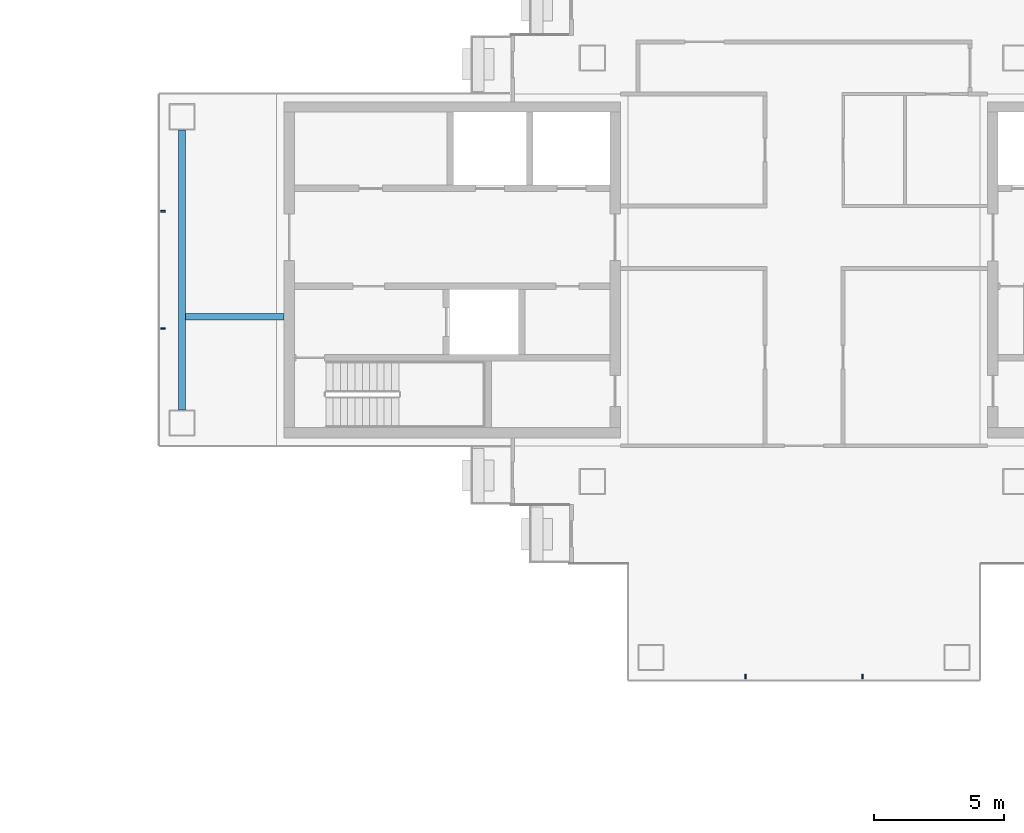
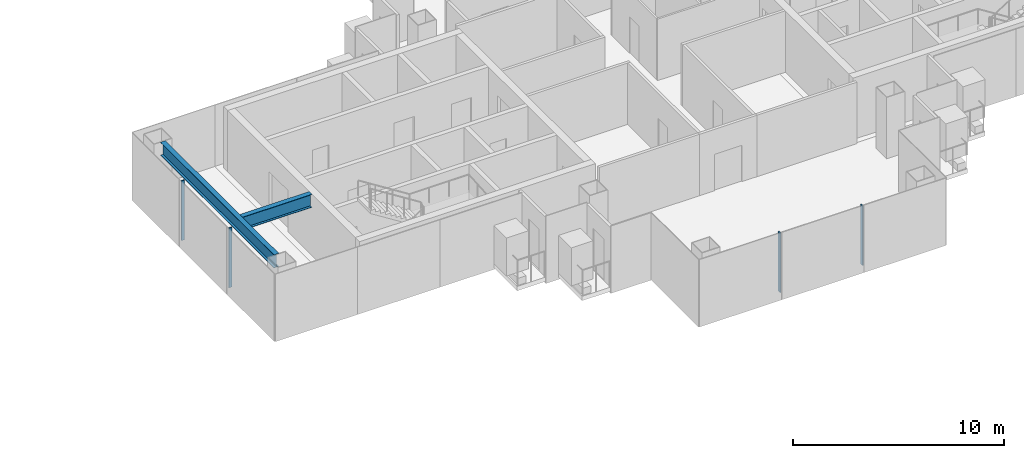
# One storey, part 5 of 16: 4 members, 2 beams, 2 elements without a shape of their own.
"""IFC4 building model written with IfcOpenShell, lengths in metres."""

from ifc_helpers import new_model, si_unit, direction, frame, origin, origin_2d, place, context, subcontext, project, spatial, rectangle, i_section, extrude, material, layer, layer_set, material_profile, profile_set, type_object, element, aggregate, save


model = new_model("IFC4")

# Units and contexts
model_context = context("Model", 3, precision=1e-05, world=origin(), true_north=direction((0.0, 1.0)))
body_context = subcontext(model_context, "Body", "Model", "MODEL_VIEW")
ifc_project = project(units=[si_unit("LENGTHUNIT", "METRE"), si_unit("AREAUNIT", "SQUARE_METRE"), si_unit("VOLUMEUNIT", "CUBIC_METRE"), si_unit("PLANEANGLEUNIT", "RADIAN"), si_unit("MASSUNIT", "GRAM", prefix="KILO")], contexts=[model_context])

# Site, building, storey
site_placement = place(None, origin())
site = spatial("IfcSite", under=ifc_project, at=site_placement, CompositionType="ELEMENT")
building_placement = place(site_placement, origin())
building = spatial("IfcBuilding", under=site, at=building_placement, Name="Shamsa Quay Exchange Towers", CompositionType="ELEMENT")
storey_placement = place(building_placement, frame((0.0, 0.0, 213.89990234375)))
storey = spatial("IfcBuildingStorey", under=building, at=storey_placement, Name="L51", CompositionType="ELEMENT", Elevation=213.89990234375)

# Curtain wall, members
ifc_material_1 = material(Name="Aluminium EN AW-6063 T6, black anodised", Category="aluminium")
ifc_layer = layer(ifc_material_1, 0.280029296875)
ifc_layer_set = layer_set([ifc_layer], Name="CW-1 UNITISED VISION GLASS")
curtain_wall_type = type_object("IfcCurtainWallType", Name="CW-1 UNITISED VISION GLASS", PredefinedType="NOTDEFINED", material=ifc_layer_set)
curtain_wall_1_placement = place(storey_placement, origin())
curtain_wall_1 = element("IfcCurtainWall", 1, at=curtain_wall_1_placement, inside=storey, type_object=curtain_wall_type, Name="CW1 T2-END-V+ L51", PredefinedType="NOTDEFINED")
ifc_material_profile_1 = material_profile(ifc_material_1, rectangle(XDim=0.179931640625, YDim=0.06005859375, at=origin_2d()), Name="MU60x180")
ifc_profile_set_1 = profile_set([ifc_material_profile_1], Name="Aluminium EN AW-6063 T6, black anodised")
member_type = type_object("IfcMemberType", Name="CW1 MULLION 60x180", PredefinedType="MULLION", material=ifc_profile_set_1)
member_1_placement = place(storey_placement, frame((9.14990234375, 2.25, 0.0)))
member_1 = element("IfcMember", 2, at=member_1_placement, type_object=member_type, Name="CW1 mullion", PredefinedType="MULLION", context=body_context, shape_type="SweptSolid", body=[
    extrude(rectangle(XDim=0.179931640625, YDim=0.06005859375, at=origin_2d()), origin(), (0.0, 0.0, 1.0), 3.4501953125),
])
member_2_placement = place(storey_placement, frame((9.14990234375, -2.25, 0.0)))
member_2 = element("IfcMember", 3, at=member_2_placement, type_object=member_type, Name="CW1 mullion", PredefinedType="MULLION", context=body_context, shape_type="SweptSolid", body=[
    extrude(rectangle(XDim=0.179931640625, YDim=0.06005859375, at=origin_2d()), origin(), (0.0, 0.0, 1.0), 3.4501953125),
])
aggregate(curtain_wall_1, [member_1, member_2])

curtain_wall_2_placement = place(storey_placement, origin())
curtain_wall_2 = element("IfcCurtainWall", 4, at=curtain_wall_2_placement, inside=storey, type_object=curtain_wall_type, Name="CW1 T2-END-U- L51", PredefinedType="NOTDEFINED")
member_3_placement = place(storey_placement, frame((31.5, -15.60009765625, 0.0), z_axis=(0.0, 0.0, 1.0), x_axis=(0.0, 1.0, 0.0)))
member_3 = element("IfcMember", 5, at=member_3_placement, type_object=member_type, Name="CW1 mullion", PredefinedType="MULLION", context=body_context, shape_type="SweptSolid", body=[
    extrude(rectangle(XDim=0.179931640625, YDim=0.06005859375, at=origin_2d()), origin(), (0.0, 0.0, 1.0), 3.4501953125),
])
member_4_placement = place(storey_placement, frame((36.0, -15.60009765625, 0.0), z_axis=(0.0, 0.0, 1.0), x_axis=(0.0, 1.0, 0.0)))
member_4 = element("IfcMember", 6, at=member_4_placement, type_object=member_type, Name="CW1 mullion", PredefinedType="MULLION", context=body_context, shape_type="SweptSolid", body=[
    extrude(rectangle(XDim=0.179931640625, YDim=0.06005859375, at=origin_2d()), origin(), (0.0, 0.0, 1.0), 3.4501953125),
])
aggregate(curtain_wall_2, [member_3, member_4])

# Beams
ifc_material_2 = material(Name="Steel S355", Category="steel")
ifc_material_profile_2 = material_profile(ifc_material_2, i_section(OverallWidth=0.26611328125, OverallDepth=0.7578125, WebThickness=0.013916015625, FlangeThickness=0.019287109375, at=origin_2d()), Name="W30x108")
ifc_profile_set_2 = profile_set([ifc_material_profile_2], Name="Steel S355")
beam_type = type_object("IfcBeamType", Name="End-zone beam W30x108", PredefinedType="BEAM", material=ifc_profile_set_2)
beam_1_placement = place(storey_placement, frame((9.875, -5.375, 3.171142578125), z_axis=(0.0, 1.0, 0.0), x_axis=(-1.0, 0.0, 0.0)))
element("IfcBeam", 7, at=beam_1_placement, inside=storey, type_object=beam_type, Name="End beam T2 V+ end zone L51", PredefinedType="BEAM", context=body_context, shape_type="SweptSolid", body=[
    extrude(i_section(OverallWidth=0.26611328125, OverallDepth=0.7578125, WebThickness=0.013916015625, FlangeThickness=0.019287109375, at=origin_2d()), origin(), (0.0, 0.0, 1.0), 10.75),
])
beam_2_placement = place(storey_placement, frame((13.800048828125, -1.800048828125, 3.171142578125), z_axis=(-1.0, 0.0, 0.0), x_axis=(0.0, -1.0, 0.0)))
element("IfcBeam", 8, at=beam_2_placement, inside=storey, type_object=beam_type, Name="Spine beam T2 V+ end zone L51", PredefinedType="BEAM", context=body_context, shape_type="SweptSolid", body=[
    extrude(i_section(OverallWidth=0.26611328125, OverallDepth=0.7578125, WebThickness=0.013916015625, FlangeThickness=0.019287109375, at=origin_2d()), origin(), (0.0, 0.0, 1.0), 3.7919921875),
])

save(model, "model.ifc")
